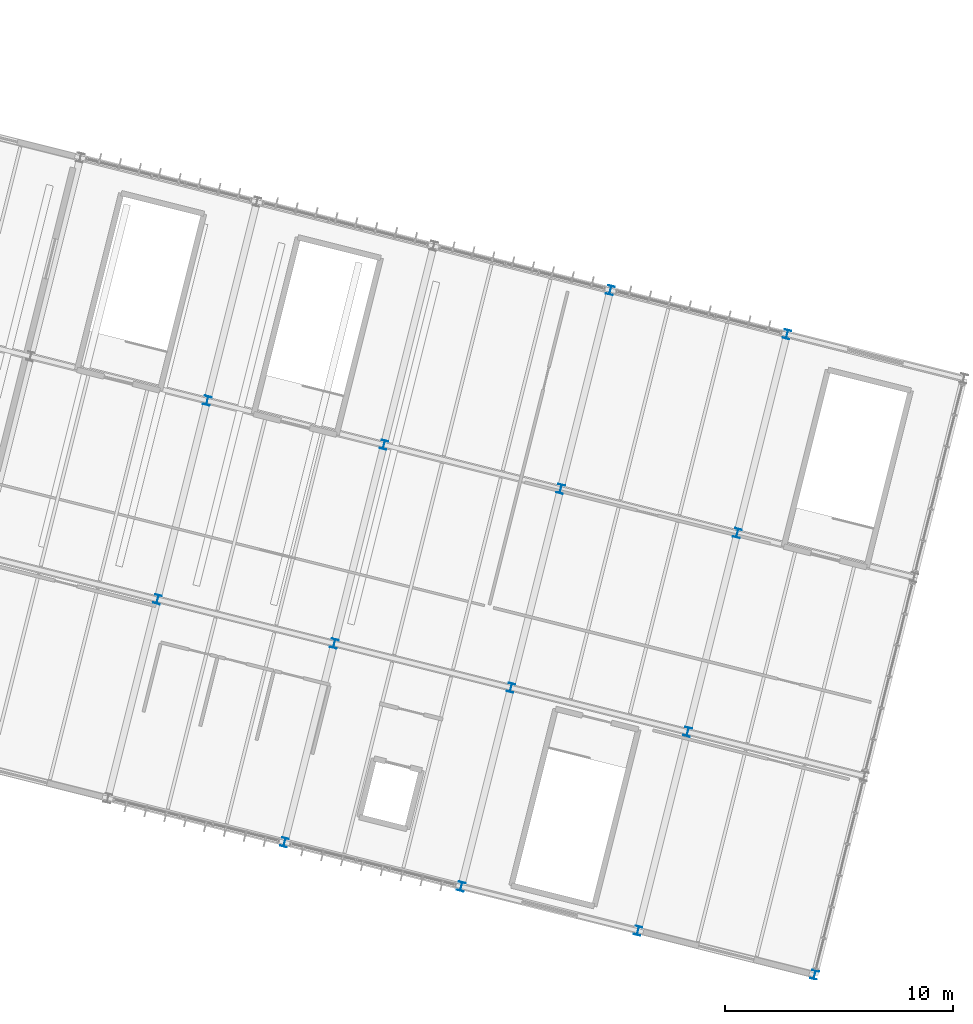
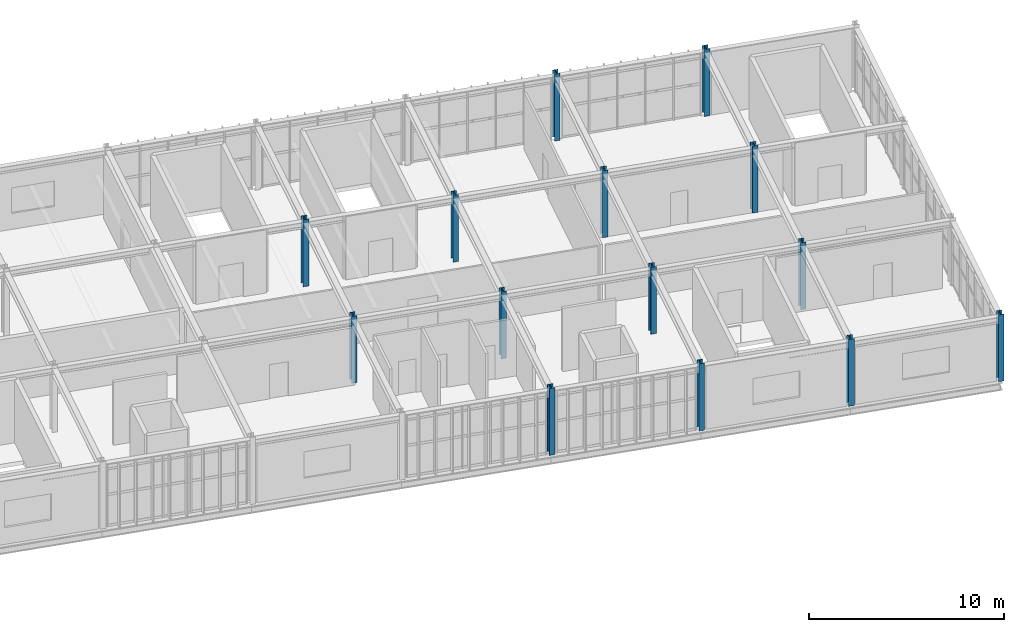
# One storey, part 2 of 30: 14 columns.
"""IFC4 building model written with IfcOpenShell, lengths in metres."""

from ifc_helpers import new_model, si_unit, derived_unit, direction, frame, origin, origin_2d, place, context, subcontext, project, spatial, i_section, extrude, material, material_profile, profile_set, type_object, element, save


model = new_model("IFC4")

# Units and contexts
model_context = context("Model", 3, precision=1e-05, world=origin(), true_north=direction((0.0, 1.0)))
body_context = subcontext(model_context, "Body", "Model", "MODEL_VIEW")
ifc_project = project(units=[si_unit("LENGTHUNIT", "METRE"), si_unit("AREAUNIT", "SQUARE_METRE"), si_unit("VOLUMEUNIT", "CUBIC_METRE"), si_unit("PLANEANGLEUNIT", "RADIAN"), si_unit("MASSUNIT", "GRAM", prefix="KILO"), si_unit("THERMODYNAMICTEMPERATUREUNIT", "KELVIN"), si_unit("TIMEUNIT", "SECOND"), derived_unit("THERMALTRANSMITTANCEUNIT", [(si_unit("MASSUNIT", "GRAM", prefix="KILO"), 1), (si_unit("THERMODYNAMICTEMPERATUREUNIT", "KELVIN"), -1), (si_unit("TIMEUNIT", "SECOND"), -3)])], contexts=[model_context])

# Site, building, storey
site_placement = place(None, origin())
site = spatial("IfcSite", under=ifc_project, at=site_placement, CompositionType="ELEMENT")
building_placement = place(site_placement, origin())
building = spatial("IfcBuilding", under=site, at=building_placement, Name="Cambertide Market Hall", CompositionType="ELEMENT")
storey_placement = place(building_placement, frame((0.0, 0.0, 14.10009765625)))
storey = spatial("IfcBuildingStorey", under=building, at=storey_placement, Name="L04", CompositionType="ELEMENT", Elevation=14.10009765625)

# Columns
ifc_material_1 = material(Name="Steel S355", Category="steel")
ifc_material_profile_1 = material_profile(ifc_material_1, i_section(OverallWidth=0.300048828125, OverallDepth=0.389892578125, WebThickness=0.010986328125, FlangeThickness=0.01904296875, FilletRadius=0.027099609375, at=origin_2d()), Name="HEA 400")
ifc_profile_set_1 = profile_set([ifc_material_profile_1], Name="Steel S355")
column_type_1 = type_object("IfcColumnType", Name="Exterior Steel Column HEA 400", PredefinedType="COLUMN", material=ifc_profile_set_1)
for number, where, z_axis, x_axis, name in (
    (1, (146.8056640625, 90.298583984375, 0.0), (0.0, 0.0, 1.0), (0.970142500145, -0.242535625038, 0.0), "Level 4 Column COL-V4-6-1-L04"),
    (2, (154.56689453125, 88.3583984375, 0.0), (0.0, 0.0, 1.0), (0.970142500145, -0.242535625038, 0.0), "Level 4 Column COL-V4-7-1-L04"),
    (3, (161.115234375, 114.55224609375, 0.0), (0.0, 0.0, 1.0), (0.970142500145, -0.242535625038, 0.0), "Level 4 Column COL-V4-7-4-L04"),
    (4, (162.327880859375, 86.41796875, 0.0), (0.0, 0.0, 1.0), (0.970142500145, -0.242535625038, 0.0), "Level 4 Column COL-V4-8-1-L04"),
    (5, (168.87646484375, 112.61181640625, 0.0), (0.0, 0.0, 1.0), (0.970142500145, -0.242535625038, 0.0), "Level 4 Column COL-V4-8-4-L04"),
    (6, (170.089111328125, 84.477783203125, 0.0), (0.0, 0.0, 1.0), (0.970142500145, -0.242535625038, 0.0), "Level 4 Column COL-V4-9-1-L04"),
):
    element("IfcColumn", number, at=place(storey_placement, frame(where, z_axis=z_axis, x_axis=x_axis)), inside=storey, type_object=column_type_1, Name=name, PredefinedType="COLUMN", context=body_context, shape_type="SweptSolid", body=[
        extrude(i_section(OverallWidth=0.300048828125, OverallDepth=0.389892578125, WebThickness=0.010986328125, FlangeThickness=0.01904296875, FilletRadius=0.027099609375, at=origin_2d()), origin(), (0.0, 0.0, 1.0), 4.199951171875),
    ])
ifc_material_2 = material(Name="Steel S355", Category="steel")
ifc_material_profile_2 = material_profile(ifc_material_2, i_section(OverallWidth=0.300048828125, OverallDepth=0.389892578125, WebThickness=0.010986328125, FlangeThickness=0.01904296875, FilletRadius=0.027099609375, at=origin_2d()), Name="HEA 400")
ifc_profile_set_2 = profile_set([ifc_material_profile_2], Name="Steel S355")
column_type_2 = type_object("IfcColumnType", Name="Steel Column HEA 400", PredefinedType="COLUMN", material=ifc_profile_set_2)
for number, where, z_axis, x_axis, name in (
    (7, (141.227294921875, 100.97021484375, 0.0), (0.0, 0.0, 1.0), (0.970142500145, -0.242535625038, 0.0), "Level 4 Column COL-V4-5-2-L04"),
    (8, (143.41015625, 109.701416015625, 0.0), (0.0, 0.0, 1.0), (0.970142500145, -0.242535625038, 0.0), "Level 4 Column COL-V4-5-3-L04"),
    (9, (148.988525390625, 99.02978515625, 0.0), (0.0, 0.0, 1.0), (0.970142500145, -0.242535625038, 0.0), "Level 4 Column COL-V4-6-2-L04"),
    (10, (151.17138671875, 107.76123046875, 0.0), (0.0, 0.0, 1.0), (0.970142500145, -0.242535625038, 0.0), "Level 4 Column COL-V4-6-3-L04"),
    (11, (156.749755859375, 97.089599609375, 0.0), (0.0, 0.0, 1.0), (0.970142500145, -0.242535625038, 0.0), "Level 4 Column COL-V4-7-2-L04"),
    (12, (158.932373046875, 105.82080078125, 0.0), (0.0, 0.0, 1.0), (0.970142500145, -0.242535625038, 0.0), "Level 4 Column COL-V4-7-3-L04"),
    (13, (164.5107421875, 95.149169921875, 0.0), (0.0, 0.0, 1.0), (0.970142500145, -0.242535625038, 0.0), "Level 4 Column COL-V4-8-2-L04"),
    (14, (166.693603515625, 103.880615234375, 0.0), (0.0, 0.0, 1.0), (0.970142500145, -0.242535625038, 0.0), "Level 4 Column COL-V4-8-3-L04"),
):
    element("IfcColumn", number, at=place(storey_placement, frame(where, z_axis=z_axis, x_axis=x_axis)), inside=storey, type_object=column_type_2, Name=name, PredefinedType="COLUMN", context=body_context, shape_type="SweptSolid", body=[
        extrude(i_section(OverallWidth=0.300048828125, OverallDepth=0.389892578125, WebThickness=0.010986328125, FlangeThickness=0.01904296875, FilletRadius=0.027099609375, at=origin_2d()), origin(), (0.0, 0.0, 1.0), 4.199951171875),
    ])

save(model, "model.ifc")
